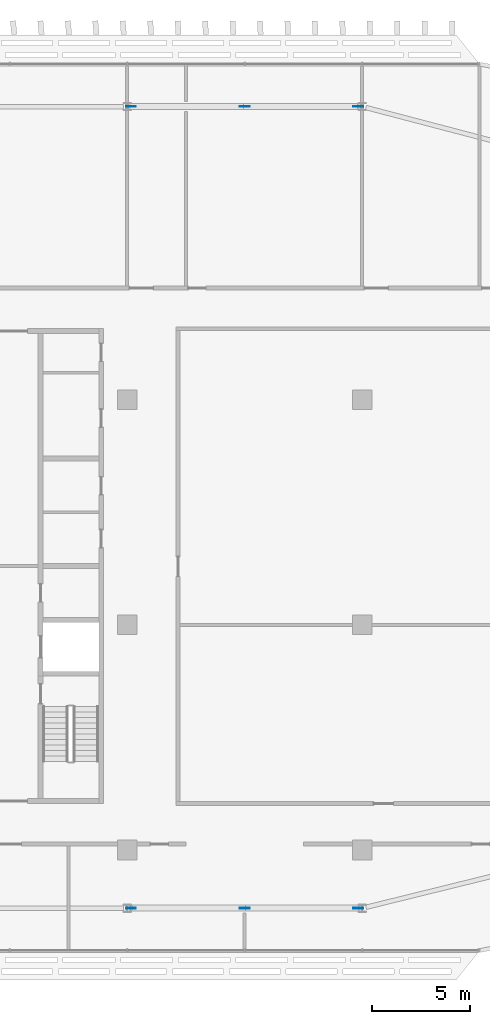
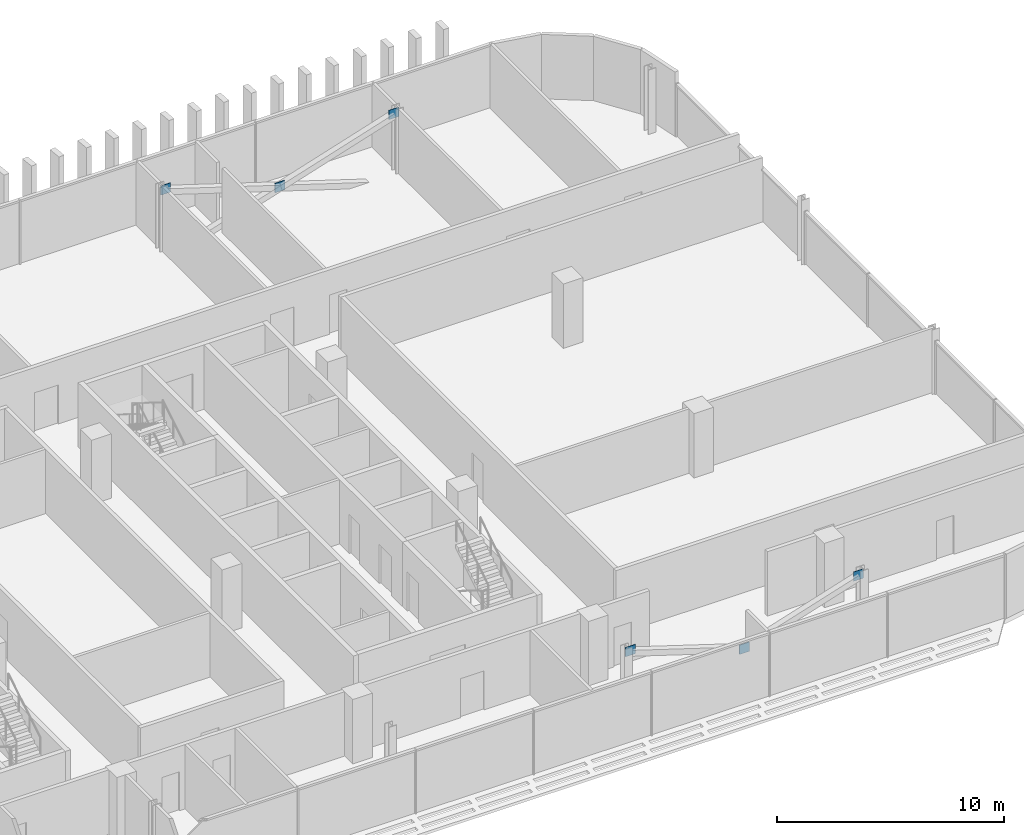
# One storey, part 25 of 32: 6 discrete accessories.
"""IFC4 building model written with IfcOpenShell, lengths in metres."""

from ifc_helpers import new_model, si_unit, direction, frame, origin, origin_2d, place, context, subcontext, project, spatial, rectangle, extrude, material, layer, layer_set, type_object, element, save


model = new_model("IFC4")

# Units and contexts
model_context = context("Model", 3, precision=1e-05, world=origin(), true_north=direction((0.0, 1.0)))
body_context = subcontext(model_context, "Body", "Model", "MODEL_VIEW")
ifc_project = project(units=[si_unit("LENGTHUNIT", "METRE"), si_unit("AREAUNIT", "SQUARE_METRE"), si_unit("VOLUMEUNIT", "CUBIC_METRE"), si_unit("PLANEANGLEUNIT", "RADIAN"), si_unit("MASSUNIT", "GRAM", prefix="KILO")], contexts=[model_context])

# Site, building, storey
site_placement = place(None, origin())
site = spatial("IfcSite", under=ifc_project, at=site_placement, CompositionType="ELEMENT")
building_placement = place(site_placement, origin())
building = spatial("IfcBuilding", under=site, at=building_placement, Name="Mahtab Terrace Research Tower", CompositionType="ELEMENT")
storey_placement = place(building_placement, frame((0.0, 0.0, 232.39990234375)))
storey = spatial("IfcBuildingStorey", under=building, at=storey_placement, Name="L56", CompositionType="ELEMENT", Elevation=232.39990234375)

# Discrete accessories
ifc_material = material(Name="Steel ASTM A992 Gr 50", Category="steel")
ifc_layer = layer(ifc_material, 0.030029296875)
ifc_layer_set = layer_set([ifc_layer], Name="Gusset plate 500x500x30")
discrete_accessory_type = type_object("IfcDiscreteAccessoryType", Name="Gusset plate 500x500x30", PredefinedType="USERDEFINED", material=ifc_layer_set)
for number, where, z_axis, x_axis, name in (
    (1, (30.199462890625, -14.472900390625, 2.906494140625), (0.0, 0.0, 1.0), (1.0, 0.0, 0.0), "Gusset plate"),
    (2, (30.199462890625, 26.472900390625, 2.906494140625), (0.0, 0.0, 1.0), (1.0, 0.0, 0.0), "Gusset plate"),
    (3, (36.0, -14.472900390625, 1.006591796875), (0.0, 0.0, 1.0), (1.0, 0.0, 0.0), "Gusset plate"),
    (4, (36.0, 26.472900390625, 1.006591796875), (0.0, 0.0, 1.0), (1.0, 0.0, 0.0), "Gusset plate"),
    (5, (41.800537109375, -14.472900390625, 2.906494140625), (0.0, 0.0, 1.0), (1.0, 0.0, 0.0), "Gusset plate"),
    (6, (41.800537109375, 26.472900390625, 2.906494140625), (0.0, 0.0, 1.0), (1.0, 0.0, 0.0), "Gusset plate"),
):
    element("IfcDiscreteAccessory", number, at=place(storey_placement, frame(where, z_axis=z_axis, x_axis=x_axis)), inside=storey, type_object=discrete_accessory_type, Name=name, ObjectType="GUSSET PLATE", PredefinedType="USERDEFINED", context=body_context, shape_type="SweptSolid", body=[
        extrude(rectangle(XDim=0.5, YDim=0.030029296875, at=origin_2d()), origin(), (0.0, 0.0, 1.0), 0.5),
    ])

save(model, "model.ifc")
